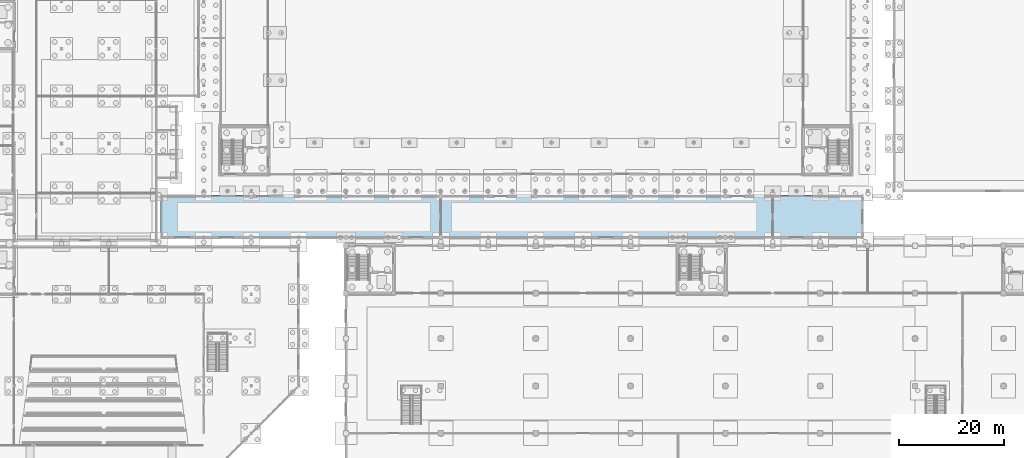
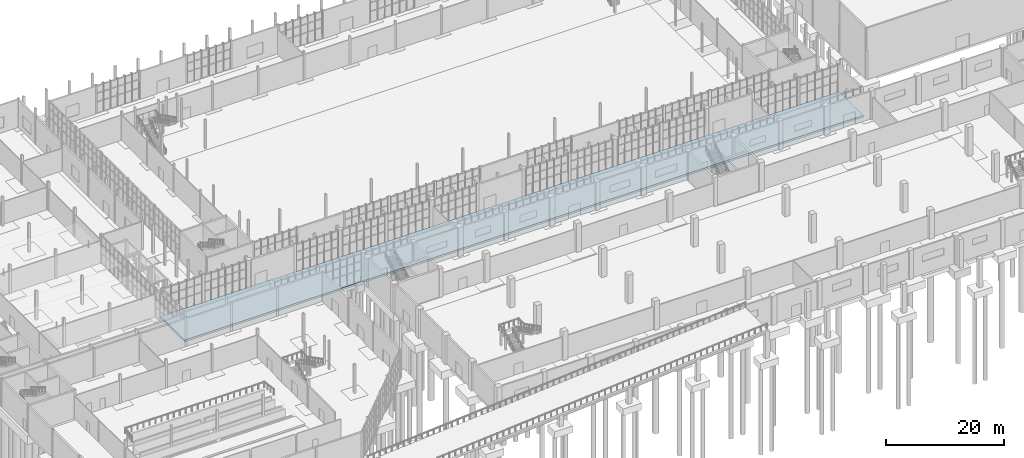
# One storey, part 78 of 131: 1 slab.
"""IFC4 building model written with IfcOpenShell, lengths in metres."""

import ifcopenshell
import ifcopenshell.guid

model = None  # the IFC model being written
_history = None  # IfcOwnerHistory: only IFC2X3 demands one
_inside = {}  # id of a spatial element -> (the spatial element, [elements in it])
_under = {}  # id of a project, library or spatial element -> (it, [spatial elements below it])
_declared = {}  # id of a project -> (the project, [libraries it declares])
_typed = {}  # id of a type object -> (the type object, [elements of that type])
_made_of = {}  # id of a material, layer set ... -> (it, [elements and type objects made of it])


def new_model(schema):
    """Start an empty IFC model of exactly this schema.

    Asked for "IFC4X3", IfcOpenShell would pick the latest addendum, in which some entities
    have other attributes; the version numbers below select the first issue.
    IFC2X3 requires an IfcOwnerHistory on every rooted entity: one is made here for all.
    """
    global model, _history
    if schema == "IFC4X3":
        model = ifcopenshell.file(schema_version=(4, 3, 0, 0))
    else:
        model = ifcopenshell.file(schema=schema)
    _inside.clear()
    _under.clear()
    _declared.clear()
    _typed.clear()
    _made_of.clear()
    _history = None
    if model.schema == "IFC2X3":
        org = make("IfcOrganization", Name="unknown")
        user = make(
            "IfcPersonAndOrganization",
            ThePerson=make("IfcPerson", FamilyName="unknown"),
            TheOrganization=org,
        )
        app = make(
            "IfcApplication",
            ApplicationDeveloper=org,
            Version="unknown",
            ApplicationFullName="unknown",
            ApplicationIdentifier="unknown",
        )
        _history = make(
            "IfcOwnerHistory",
            OwningUser=user,
            OwningApplication=app,
            ChangeAction="ADDED",
            CreationDate=0,
        )
    return model


def make(cls, **values):
    """One entity of the class cls with the attributes given. An attribute that is None is left unset."""
    return model.create_entity(
        cls, **{name: value for name, value in values.items() if value is not None}
    )


def rooted(cls, **values):
    """An entity with a GlobalId (a new one), such as an element, a storey or a relation."""
    return make(cls, GlobalId=ifcopenshell.guid.new(), OwnerHistory=_history, **values)


def si_unit(unit_type, name, prefix=None):
    """IfcSIUnit, for example si_unit("LENGTHUNIT", "METRE", prefix="MILLI")."""
    return make("IfcSIUnit", UnitType=unit_type, Prefix=prefix, Name=name)


def assignment(units):
    """IfcUnitAssignment: the units of a project."""
    return None if units is None else make("IfcUnitAssignment", Units=units)


def point(xyz):
    """IfcCartesianPoint."""
    return None if xyz is None else make("IfcCartesianPoint", Coordinates=xyz)


def direction(xyz):
    """IfcDirection."""
    return None if xyz is None else make("IfcDirection", DirectionRatios=xyz)


def frame(location, z_axis=None, x_axis=None):
    """IfcAxis2Placement3D, a coordinate frame: its origin and axes. An axis left out is left unset."""
    return make(
        "IfcAxis2Placement3D",
        Location=point(location),
        Axis=direction(z_axis),
        RefDirection=direction(x_axis),
    )


def origin():
    """The frame at (0, 0, 0) with its axes left unset."""
    return frame((0.0, 0.0, 0.0))


def place(relative_to, where):
    """IfcLocalPlacement: puts the frame where relative to a parent placement (None: the world)."""
    return make(
        "IfcLocalPlacement", PlacementRelTo=relative_to, RelativePlacement=where
    )


def context(
    kind, dimensions, precision=None, world=None, true_north=None, identifier=None
):
    """IfcGeometricRepresentationContext, for example the 3D "Model" context."""
    return make(
        "IfcGeometricRepresentationContext",
        ContextIdentifier=identifier,
        ContextType=kind,
        CoordinateSpaceDimension=dimensions,
        Precision=precision,
        WorldCoordinateSystem=world,
        TrueNorth=true_north,
    )


def subcontext(parent, identifier, kind, view, scale=None):
    """IfcGeometricRepresentationSubContext, for example "Body" below "Model"."""
    return make(
        "IfcGeometricRepresentationSubContext",
        ContextIdentifier=identifier,
        ContextType=kind,
        ParentContext=parent,
        TargetScale=scale,
        TargetView=view,
    )


def project(units=None, contexts=None):
    """IfcProject with its units and contexts."""
    return rooted(
        "IfcProject",
        Name="project",
        RepresentationContexts=contexts,
        UnitsInContext=assignment(units),
    )


def spatial(cls, under=None, at=None, **own):
    """A site, building, storey or space (cls), placed at a placement, below another one or the project."""
    s = rooted(cls, ObjectPlacement=at, **own)
    if under is not None:
        _under.setdefault(under.id(), (under, []))[1].append(s)
    return s


def polyline(points):
    """IfcPolyline through the points."""
    return make("IfcPolyline", Points=[point(p) for p in points])


def outline(outer, holes=None, kind="AREA"):
    """IfcArbitraryClosedProfileDef: a profile drawn as a closed curve; with holes, ...WithVoids."""
    if holes is None:
        return make("IfcArbitraryClosedProfileDef", ProfileType=kind, OuterCurve=outer)
    return make(
        "IfcArbitraryProfileDefWithVoids",
        ProfileType=kind,
        OuterCurve=outer,
        InnerCurves=holes,
    )


def extrude(swept, where, along, depth):
    """IfcExtrudedAreaSolid: the profile swept, set in the frame where, extruded along a direction by depth."""
    return make(
        "IfcExtrudedAreaSolid",
        SweptArea=swept,
        Position=where,
        ExtrudedDirection=direction(along),
        Depth=depth,
    )


def shape(context_of_items, identifier, shape_type, items):
    """IfcShapeRepresentation: the items that make up one representation, for example the "Body"."""
    return make(
        "IfcShapeRepresentation",
        ContextOfItems=context_of_items,
        RepresentationIdentifier=identifier,
        RepresentationType=shape_type,
        Items=items,
    )


def material(Name=None, Category=None):
    """IfcMaterial."""
    return make("IfcMaterial", Name=Name, Category=Category)


def layer(
    of_material, thickness, ventilated=None, Name=None, Category=None, Priority=None
):
    """IfcMaterialLayer: one layer of a wall or slab, of a material (None: an air gap)."""
    return make(
        "IfcMaterialLayer",
        Material=of_material,
        LayerThickness=thickness,
        IsVentilated=ventilated,
        Name=Name,
        Category=Category,
        Priority=Priority,
    )


def layer_set(layers, Name=None):
    """IfcMaterialLayerSet."""
    return make("IfcMaterialLayerSet", MaterialLayers=layers, LayerSetName=Name)


def made_of(thing, what):
    """Note that an element or type object is made of a material, layer set ...; save() writes the relation."""
    if what is not None:
        _made_of.setdefault(what.id(), (what, []))[1].append(thing)
    return thing


def type_object(cls, material=None, **own):
    """A type object (cls), such as IfcWallType, which elements share."""
    return made_of(rooted(cls, **own), material)


def element(
    cls,
    number,
    at=None,
    inside=None,
    cuts=None,
    type_object=None,
    material=None,
    context=None,
    identifier="Body",
    shape_type=None,
    held_by="IfcProductDefinitionShape",
    body=None,
    shapes=None,
    **own,
):
    """One element of the class cls, such as IfcWall. Its Tag is "e" and its number.

    at: its placement. inside: the storey or other place that contains it. cuts: it is an
    opening in that element (IfcRelVoidsElement). A single representation is given by context,
    identifier, shape_type and body (its items); several are given by shapes. held_by: the class
    of the entity that holds the representations. save() writes the other relations.
    """
    e = rooted(cls, Tag="e%d" % number, ObjectPlacement=at, **own)
    if body is not None:
        shapes = [shape(context, identifier, shape_type, body)]
    if shapes is not None:
        e.Representation = make(held_by, Representations=shapes)
    if inside is not None:
        _inside.setdefault(inside.id(), (inside, []))[1].append(e)
    if cuts is not None:
        rooted(
            "IfcRelVoidsElement", RelatingBuildingElement=cuts, RelatedOpeningElement=e
        )
    if type_object is not None:
        _typed.setdefault(type_object.id(), (type_object, []))[1].append(e)
    return made_of(e, material)


def aggregate(whole, parts):
    """IfcRelAggregates: a whole, such as a stair, and the parts it consists of."""
    return rooted("IfcRelAggregates", RelatingObject=whole, RelatedObjects=parts)


def save(model, path):
    """Write the relations noted so far, then the file.

    IfcRelAggregates (storeys below a building ...), IfcRelContainedInSpatialStructure (elements
    in a storey), IfcRelDefinesByType, IfcRelAssociatesMaterial and IfcRelDeclares: one each for
    every whole, place, type object, material and project.
    """
    for whole, parts in _under.values():
        aggregate(whole, parts)
    for where, things in _inside.values():
        rooted(
            "IfcRelContainedInSpatialStructure",
            RelatedElements=things,
            RelatingStructure=where,
        )
    for kind, things in _typed.values():
        rooted("IfcRelDefinesByType", RelatedObjects=things, RelatingType=kind)
    for what, things in _made_of.values():
        rooted("IfcRelAssociatesMaterial", RelatedObjects=things, RelatingMaterial=what)
    for by, libraries in _declared.values():
        rooted("IfcRelDeclares", RelatingContext=by, RelatedDefinitions=libraries)
    model.write(path)


model = new_model("IFC4")

# Units and contexts
model_context = context("Model", 3, precision=1e-05, world=origin(), true_north=direction((0.0, 1.0)))
body_context = subcontext(model_context, "Body", "Model", "MODEL_VIEW")
ifc_project = project(units=[si_unit("LENGTHUNIT", "METRE"), si_unit("AREAUNIT", "SQUARE_METRE"), si_unit("VOLUMEUNIT", "CUBIC_METRE"), si_unit("PLANEANGLEUNIT", "RADIAN"), si_unit("MASSUNIT", "GRAM", prefix="KILO")], contexts=[model_context])

# Site, building, storey
site_placement = place(None, origin())
site = spatial("IfcSite", under=ifc_project, at=site_placement, CompositionType="ELEMENT")
building_placement = place(site_placement, origin())
building = spatial("IfcBuilding", under=site, at=building_placement, Name="Cazmaro Siding Exhibition Halls", CompositionType="ELEMENT")
storey_placement = place(building_placement, origin())
storey = spatial("IfcBuildingStorey", under=building, at=storey_placement, Name="L00", CompositionType="ELEMENT", Elevation=0.0)

# Slab
ifc_material = material(Name="Concrete f'c 35 MPa", Category="concrete")
ifc_layer = layer(ifc_material, 0.409912109375)
ifc_layer_set = layer_set([ifc_layer], Name="Concrete f'c 35 MPa")
slab_type = type_object("IfcSlabType", Name="BS-01", PredefinedType="BASESLAB", material=ifc_layer_set)
slab_placement = place(storey_placement, frame((0.0, 0.0, -0.409912109375)))
element("IfcSlab", 1, at=slab_placement, inside=storey, type_object=slab_type, Name="Grand Concourse base slab BS-01 SLB-0007", PredefinedType="BASESLAB", context=body_context, shape_type="SweptSolid", body=[
    extrude(outline(polyline([(36.800048828125, 55.0), (170.199951171875, 55.0), (170.199951171875, 63.199951171875), (36.800048828125, 63.199951171875), (36.800048828125, 55.0)])), origin(), (0.0, 0.0, 1.0), 0.409912109375),
])

save(model, "model.ifc")
